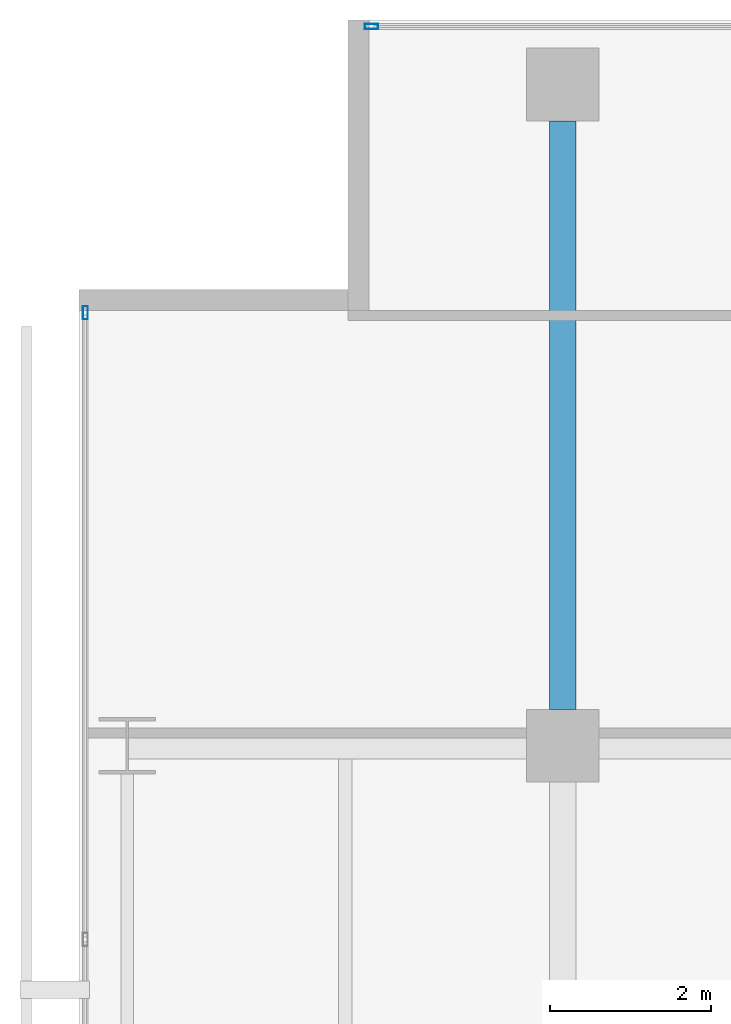
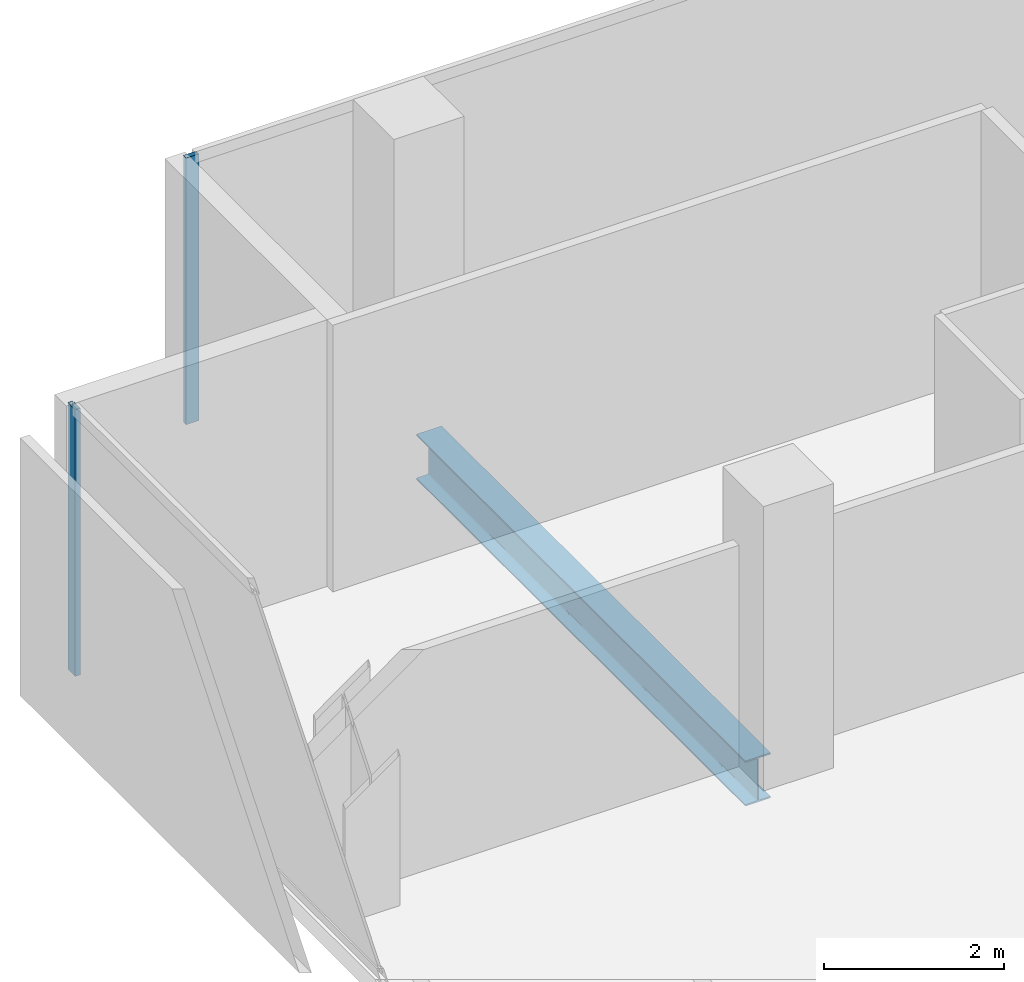
# One storey, part 25 of 41: 2 members, 1 beam, 2 elements without a shape of their own.
"""IFC4 building model written with IfcOpenShell, lengths in metres."""

from ifc_helpers import new_model, si_unit, direction, frame, origin, origin_2d, place, context, subcontext, project, spatial, hollow_rectangle, i_section, extrude, material, layer, layer_set, material_profile, profile_set, type_object, element, aggregate, save


model = new_model("IFC4")

# Units and contexts
model_context = context("Model", 3, precision=1e-05, world=origin(), true_north=direction((0.0, 1.0)))
body_context = subcontext(model_context, "Body", "Model", "MODEL_VIEW")
ifc_project = project(units=[si_unit("LENGTHUNIT", "METRE"), si_unit("AREAUNIT", "SQUARE_METRE"), si_unit("VOLUMEUNIT", "CUBIC_METRE"), si_unit("PLANEANGLEUNIT", "RADIAN"), si_unit("MASSUNIT", "GRAM", prefix="KILO")], contexts=[model_context])

# Site, building, storey
site_placement = place(None, origin())
site = spatial("IfcSite", under=ifc_project, at=site_placement, CompositionType="ELEMENT")
building_placement = place(site_placement, origin())
building = spatial("IfcBuilding", under=site, at=building_placement, Name="Maruvema Waterfront Hotel and Observation Tower", CompositionType="ELEMENT")
storey_placement = place(building_placement, frame((0.0, 0.0, 84.699951171875)))
storey = spatial("IfcBuildingStorey", under=building, at=storey_placement, Name="L20", CompositionType="ELEMENT", Elevation=84.699951171875)

# Curtain wall, member
ifc_material_1 = material(Name="Anodised bronze aluminium and solar-control low-E IGU", Category="aluminium")
ifc_layer = layer(ifc_material_1, 0.159912109375, Name="Zone 1 Bronze Inner Thermal Curtain Wall System CW-02")
ifc_layer_set = layer_set([ifc_layer], Name="Anodised bronze aluminium and solar-control low-E IGU")
curtain_wall_type = type_object("IfcCurtainWallType", Name="Zone 1 Bronze Inner Thermal Curtain Wall System CW-02", PredefinedType="USERDEFINED", material=ifc_layer_set)
curtain_wall_1_placement = place(storey_placement, origin())
curtain_wall_1 = element("IfcCurtainWall", 1, at=curtain_wall_1_placement, inside=storey, type_object=curtain_wall_type, Name="L20 Curtain Wall CW-L20-W", ObjectType="UNITISED CURTAIN WALL", PredefinedType="USERDEFINED")
ifc_material_2 = material(Name="Anodised architectural bronze aluminium", Category="aluminium")
ifc_material_profile_1 = material_profile(ifc_material_2, hollow_rectangle(XDim=0.06494140625, YDim=0.1650390625, WallThickness=0.00390625, at=origin_2d()), Name="ALU-M65x165")
ifc_profile_set_1 = profile_set([ifc_material_profile_1], Name="Anodised architectural bronze aluminium")
member_type = type_object("IfcMemberType", Name="Curtain Wall Primary Mullion ALU-M65x165", PredefinedType="MULLION", material=ifc_profile_set_1)
member_1_placement = place(storey_placement, frame((10.8798828125, 50.3701171875, 0.0), z_axis=(0.0, 0.0, 1.0), x_axis=(1.0, 0.0, 0.0)))
member_1 = element("IfcMember", 2, at=member_1_placement, type_object=member_type, Name="CW-02 mullion 1", PredefinedType="MULLION", context=body_context, shape_type="SweptSolid", body=[
    extrude(hollow_rectangle(XDim=0.06494140625, YDim=0.1650390625, WallThickness=0.00390625, at=origin_2d()), origin(), (0.0, 0.0, 1.0), 3.610107421875),
])
aggregate(curtain_wall_1, [member_1])

curtain_wall_2_placement = place(storey_placement, origin())
curtain_wall_2 = element("IfcCurtainWall", 3, at=curtain_wall_2_placement, inside=storey, type_object=curtain_wall_type, Name="L20 Curtain Wall CW-L20-NW", ObjectType="UNITISED CURTAIN WALL", PredefinedType="USERDEFINED")
member_2_placement = place(storey_placement, frame((14.429931640625, 53.919921875, 0.0), z_axis=(0.0, 0.0, 1.0), x_axis=(0.0, -1.0, 0.0)))
member_2 = element("IfcMember", 4, at=member_2_placement, type_object=member_type, Name="CW-02 mullion 2", PredefinedType="MULLION", context=body_context, shape_type="SweptSolid", body=[
    extrude(hollow_rectangle(XDim=0.06494140625, YDim=0.1650390625, WallThickness=0.00390625, at=origin_2d()), origin(), (0.0, 0.0, 1.0), 3.610107421875),
])
aggregate(curtain_wall_2, [member_2])

# Beam
ifc_material_3 = material(Name="Steel ASTM A572 Grade 50", Category="steel")
ifc_material_profile_2 = material_profile(ifc_material_3, i_section(OverallWidth=0.323974609375, OverallDepth=0.611083984375, WebThickness=0.0126953125, FlangeThickness=0.01904296875, FilletRadius=0.01806640625, at=origin_2d()), Name="W610x155.0")
ifc_profile_set_2 = profile_set([ifc_material_profile_2], Name="Steel ASTM A572 Grade 50")
beam_type = type_object("IfcBeamType", Name="Primary Floor Girder W610x155.0", PredefinedType="BEAM", material=ifc_profile_set_2)
beam_placement = place(storey_placement, frame((16.800048828125, 45.449951171875, -0.54541015625), z_axis=(0.0, 1.0, 0.0), x_axis=(-1.0, 0.0, 0.0)))
element("IfcBeam", 5, at=beam_placement, inside=storey, type_object=beam_type, Name="L20 Floor Girder NS-10", PredefinedType="BEAM", context=body_context, shape_type="SweptSolid", body=[
    extrude(i_section(OverallWidth=0.323974609375, OverallDepth=0.611083984375, WebThickness=0.0126953125, FlangeThickness=0.01904296875, FilletRadius=0.01806640625, at=origin_2d()), origin(), (0.0, 0.0, 1.0), 7.300048828125),
])

save(model, "model.ifc")
